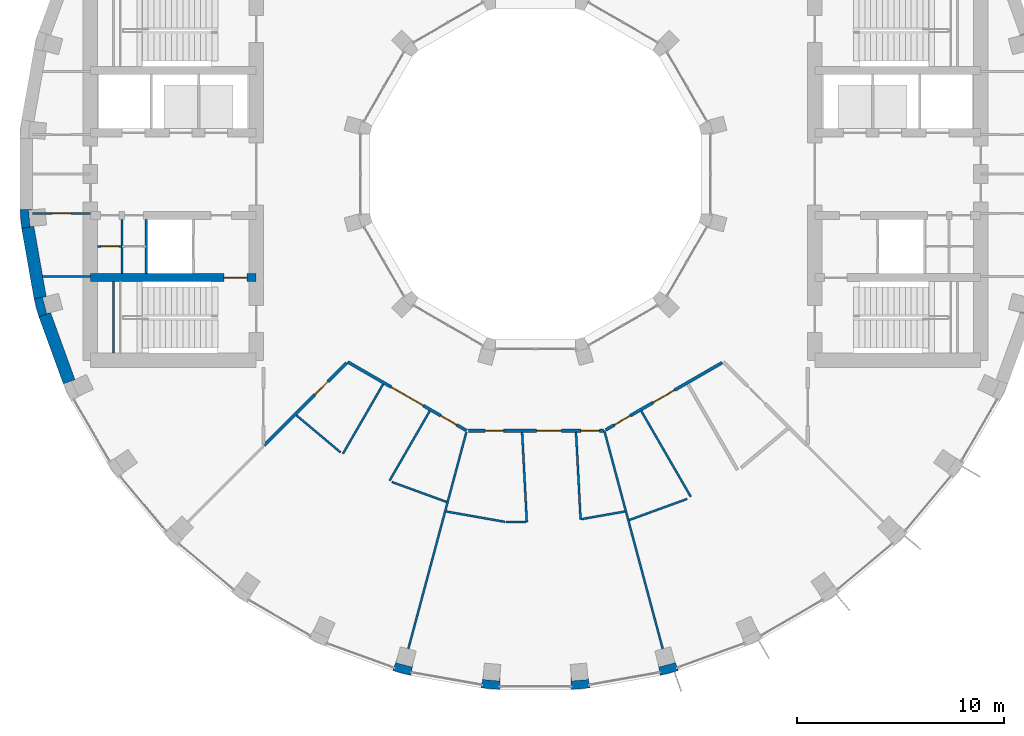
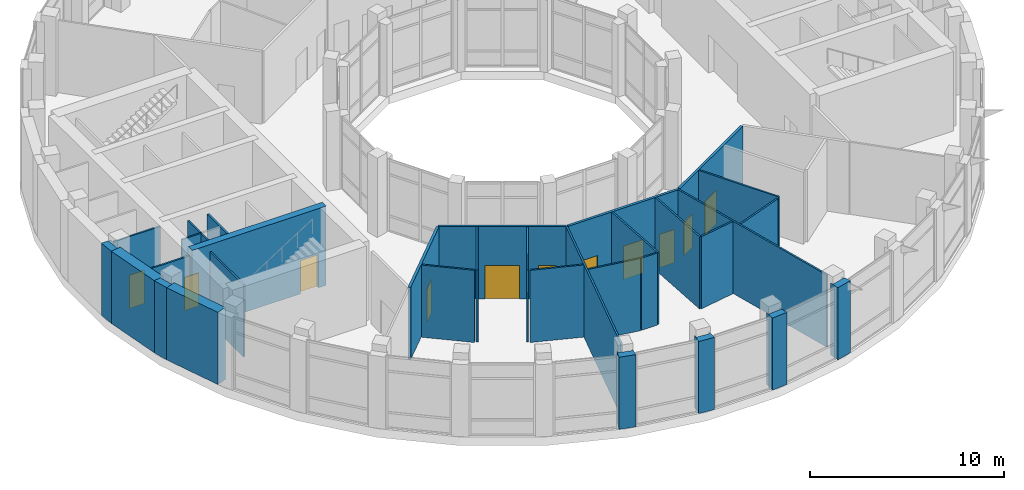
# One storey, part 11 of 18: 32 walls, 11 doors, 11 openings.
"""IFC4 building model written with IfcOpenShell, lengths in metres."""

from ifc_helpers import new_model, si_unit, direction, frame, frame_2d, origin, place, context, subcontext, project, spatial, polyline, rectangle, outline, extrude, material, layer, layer_set, type_object, element, fill, save


model = new_model("IFC4")

# Units and contexts
model_context = context("Model", 3, precision=1e-05, world=origin(), true_north=direction((0.0, 1.0)))
body_context = subcontext(model_context, "Body", "Model", "MODEL_VIEW")
ifc_project = project(units=[si_unit("LENGTHUNIT", "METRE"), si_unit("AREAUNIT", "SQUARE_METRE"), si_unit("VOLUMEUNIT", "CUBIC_METRE"), si_unit("PLANEANGLEUNIT", "RADIAN"), si_unit("MASSUNIT", "GRAM", prefix="KILO")], contexts=[model_context])

# Site, building, storey
site_placement = place(None, origin())
site = spatial("IfcSite", under=ifc_project, at=site_placement, CompositionType="ELEMENT")
building_placement = place(site_placement, origin())
building = spatial("IfcBuilding", under=site, at=building_placement, Name="Saqina Gate Tower", CompositionType="ELEMENT")
storey_placement = place(building_placement, frame((0.0, 0.0, 155.800048828125)))
storey = spatial("IfcBuildingStorey", under=building, at=storey_placement, Name="L44", CompositionType="ELEMENT", Elevation=155.800048828125)

# Walls
ifc_material_1 = material(Name="Brick masonry (buff)", Category="masonry")
wall_type_1 = type_object("IfcWallType", Name="BRICK PIER COPING BUFF", PredefinedType="SOLIDWALL", material=ifc_material_1)
wall_1_placement = place(storey_placement, origin())
element("IfcWall", 1, at=wall_1_placement, inside=storey, type_object=wall_type_1, Name="Pier cap L44 column 19", PredefinedType="SOLIDWALL", context=body_context, shape_type="SweptSolid", body=[
    extrude(outline(polyline([(-24.90478515625, -1.724853515625), (-24.825927734375, -2.6259765625), (-24.235107421875, -2.521728515625), (-24.421630859375, -2.5380859375), (-24.491455078125, -1.7412109375), (-24.304931640625, -1.724853515625), (-24.90478515625, -1.724853515625)])), origin(), (0.0, 0.0, 1.0), 4.550048828125),
])
wall_2_placement = place(storey_placement, origin())
element("IfcWall", 2, at=wall_2_placement, inside=storey, type_object=wall_type_1, Name="Pier cap L44 column 20", PredefinedType="SOLIDWALL", context=body_context, shape_type="SweptSolid", body=[
    extrude(outline(polyline([(-24.22705078125, -6.0234375), (-23.992919921875, -6.897216796875), (-23.428955078125, -6.69189453125), (-23.610107421875, -6.740478515625), (-23.81689453125, -5.967529296875), (-23.635986328125, -5.919189453125), (-24.22705078125, -6.0234375)])), origin(), (0.0, 0.0, 1.0), 4.550048828125),
])
wall_3_placement = place(storey_placement, origin())
element("IfcWall", 3, at=wall_3_placement, inside=storey, type_object=wall_type_1, Name="Pier cap L44 column 26", PredefinedType="SOLIDWALL", context=body_context, shape_type="SweptSolid", body=[
    extrude(outline(polyline([(-6.0234375, -24.22705078125), (-5.919189453125, -23.635986328125), (-5.967529296875, -23.81689453125), (-6.740478515625, -23.610107421875), (-6.69189453125, -23.428955078125), (-6.897216796875, -23.992919921875), (-6.0234375, -24.22705078125)])), origin(), (0.0, 0.0, 1.0), 4.550048828125),
])
wall_4_placement = place(storey_placement, origin())
element("IfcWall", 4, at=wall_4_placement, inside=storey, type_object=wall_type_1, Name="Pier cap L44 column 27", PredefinedType="SOLIDWALL", context=body_context, shape_type="SweptSolid", body=[
    extrude(outline(polyline([(-2.6259765625, -24.825927734375), (-1.724853515625, -24.90478515625), (-1.724853515625, -24.304931640625), (-1.7412109375, -24.491455078125), (-2.5380859375, -24.421630859375), (-2.521728515625, -24.235107421875), (-2.6259765625, -24.825927734375)])), origin(), (0.0, 0.0, 1.0), 4.550048828125),
])
wall_5_placement = place(storey_placement, origin())
element("IfcWall", 5, at=wall_5_placement, inside=storey, type_object=wall_type_1, Name="Pier cap L44 column 28", PredefinedType="SOLIDWALL", context=body_context, shape_type="SweptSolid", body=[
    extrude(outline(polyline([(1.724853515625, -24.90478515625), (2.6259765625, -24.825927734375), (2.521728515625, -24.235107421875), (2.5380859375, -24.421630859375), (1.7412109375, -24.491455078125), (1.724853515625, -24.304931640625), (1.724853515625, -24.90478515625)])), origin(), (0.0, 0.0, 1.0), 4.550048828125),
])
wall_6_placement = place(storey_placement, origin())
element("IfcWall", 6, at=wall_6_placement, inside=storey, type_object=wall_type_1, Name="Pier cap L44 column 29", PredefinedType="SOLIDWALL", context=body_context, shape_type="SweptSolid", body=[
    extrude(outline(polyline([(6.0234375, -24.22705078125), (6.897216796875, -23.992919921875), (6.69189453125, -23.428955078125), (6.740478515625, -23.610107421875), (5.967529296875, -23.81689453125), (5.919189453125, -23.635986328125), (6.0234375, -24.22705078125)])), origin(), (0.0, 0.0, 1.0), 4.550048828125),
])
ifc_material_2 = material(Name="Gypsum board on steel studs", Category="steel")
ifc_layer_1 = layer(ifc_material_2, 0.10009765625)
ifc_layer_set_1 = layer_set([ifc_layer_1], Name="CORE PARTITION")
wall_type_2 = type_object("IfcWallType", Name="CORE PARTITION", PredefinedType="PARTITIONING", material=ifc_layer_set_1)
wall_7_placement = place(storey_placement, frame((-21.5, -4.949951171875, 0.0), z_axis=(0.0, 0.0, 1.0), x_axis=(-1.0, 0.0, 0.0)))
element("IfcWall", 7, at=wall_7_placement, inside=storey, type_object=wall_type_2, Name="L44-CP-W03", PredefinedType="PARTITIONING", context=body_context, shape_type="SweptSolid", body=[
    extrude(rectangle(XDim=2.306884765625, YDim=0.10009765625, at=frame_2d((1.1533203125, 0.0))), origin(), (0.0, 0.0, 1.0), 4.550048828125),
])

# Wall, opening, door
wall_8_placement = place(storey_placement, frame((-21.5, -1.89990234375, 0.0), z_axis=(0.0, 0.0, 1.0), x_axis=(-1.0, 0.0, 0.0)))
wall_8 = element("IfcWall", 8, at=wall_8_placement, inside=storey, type_object=wall_type_2, Name="L44-CP-W04", PredefinedType="PARTITIONING", context=body_context, shape_type="SweptSolid", body=[
    extrude(rectangle(XDim=2.804931640625, YDim=0.10009765625, at=frame_2d((1.40234375, 0.0))), origin(), (0.0, 0.0, 1.0), 4.550048828125),
])
opening_1_placement = place(wall_8_placement, frame((0.952392578125, 0.0, 0.0)))
opening_1 = element("IfcOpeningElement", 9, at=opening_1_placement, cuts=wall_8, Name="Opening L44-D108", PredefinedType="OPENING", context=body_context, shape_type="SweptSolid", body=[
    extrude(rectangle(XDim=0.89990234375, YDim=2.10009765625, at=frame_2d((0.449951171875, 1.050048828125))), frame((0.0, 0.06201171875, 0.0), z_axis=(0.0, -1.0, 0.0), x_axis=(1.0, 0.0, 0.0)), (0.0, 0.0, 1.0), 0.1240234375),
])
ifc_material_3 = material(Name="Steel-framed fire door leaf, EI 60", Category="steel")
door_type_1 = type_object("IfcDoorType", Name="SERVICE ROOM DOOR 900", OperationType="SINGLE_SWING_LEFT", PredefinedType="DOOR", material=ifc_material_3)
door_1_placement = place(opening_1_placement, origin())
door_1 = element("IfcDoor", 10, at=door_1_placement, inside=storey, type_object=door_type_1, Name="L44-CD-W19", OperationType="SINGLE_SWING_LEFT", OverallHeight=2.10009765625, OverallWidth=0.89990234375, PredefinedType="DOOR", context=body_context, shape_type="SweptSolid", body=[
    extrude(rectangle(XDim=0.89990234375, YDim=2.10009765625, at=frame_2d((0.449951171875, 1.050048828125))), frame((0.0, 0.02490234375, 0.0), z_axis=(0.0, -1.0, 0.0), x_axis=(1.0, 0.0, 0.0)), (0.0, 0.0, 1.0), 0.050048828125),
])
fill(opening_1, door_1)

# Wall
wall_9_placement = place(storey_placement, frame((-19.97998046875, -4.800048828125, 0.0), z_axis=(0.0, 0.0, 1.0), x_axis=(0.0, 1.0, 0.0)))
element("IfcWall", 11, at=wall_9_placement, inside=storey, type_object=wall_type_2, Name="L44-CP-W10", PredefinedType="PARTITIONING", context=body_context, shape_type="SweptSolid", body=[
    extrude(rectangle(XDim=2.60009765625, YDim=0.10009765625, at=frame_2d((1.300048828125, 0.0))), origin(), (0.0, 0.0, 1.0), 4.550048828125),
])

# Wall, opening, door
wall_10_placement = place(storey_placement, frame((-19.97998046875, -3.5, 0.0), z_axis=(0.0, 0.0, 1.0), x_axis=(-1.0, 0.0, 0.0)))
wall_10 = element("IfcWall", 12, at=wall_10_placement, inside=storey, type_object=wall_type_2, Name="L44-CP-W12", PredefinedType="PARTITIONING", context=body_context, shape_type="SweptSolid", body=[
    extrude(rectangle(XDim=1.169921875, YDim=0.10009765625, at=frame_2d((0.5849609375, 0.0))), origin(), (0.0, 0.0, 1.0), 4.550048828125),
])
opening_2_placement = place(wall_10_placement, frame((0.14990234375, 0.0, 0.0)))
opening_2 = element("IfcOpeningElement", 13, at=opening_2_placement, cuts=wall_10, Name="Opening L44-D111", PredefinedType="OPENING", context=body_context, shape_type="SweptSolid", body=[
    extrude(rectangle(XDim=0.85009765625, YDim=2.10009765625, at=frame_2d((0.425048828125, 1.050048828125))), frame((0.0, 0.06201171875, 0.0), z_axis=(0.0, -1.0, 0.0), x_axis=(1.0, 0.0, 0.0)), (0.0, 0.0, 1.0), 0.1240234375),
])
ifc_material_4 = material(Name="Steel-framed fire door leaf, EI 60", Category="steel")
door_type_2 = type_object("IfcDoorType", Name="SERVICE ROOM DOOR 850", OperationType="SINGLE_SWING_LEFT", PredefinedType="DOOR", material=ifc_material_4)
door_2_placement = place(opening_2_placement, origin())
door_2 = element("IfcDoor", 14, at=door_2_placement, inside=storey, type_object=door_type_2, Name="L44-CD-W22", OperationType="SINGLE_SWING_RIGHT", OverallHeight=2.10009765625, OverallWidth=0.85009765625, PredefinedType="DOOR", context=body_context, shape_type="SweptSolid", body=[
    extrude(rectangle(XDim=0.85009765625, YDim=2.10009765625, at=frame_2d((0.425048828125, 1.050048828125))), frame((0.0, 0.02490234375, 0.0), z_axis=(0.0, -1.0, 0.0), x_axis=(1.0, 0.0, 0.0)), (0.0, 0.0, 1.0), 0.050048828125),
])
fill(opening_2, door_2)

# Walls
ifc_material_5 = material(Name="Glazed ceramic tile", Category="ceramic")
ifc_layer_2 = layer(ifc_material_5, 0.60009765625)
ifc_layer_set_2 = layer_set([ifc_layer_2], Name="FW-TILE")
wall_type_3 = type_object("IfcWallType", Name="FW-TILE", PredefinedType="SOLIDWALL", material=ifc_layer_set_2)
wall_11_placement = place(storey_placement, frame((-24.530517578125, -2.573974609375, 0.0), z_axis=(0.0, 0.0, 1.0), x_axis=(0.173607684551, -0.984814892183, 0.0)))
element("IfcWall", 15, at=wall_11_placement, inside=storey, type_object=wall_type_3, Name="Facade wall L44 facet 19", PredefinedType="SOLIDWALL", context=body_context, shape_type="SweptSolid", body=[
    extrude(rectangle(XDim=3.44970703125, YDim=0.60009765625, at=frame_2d((1.724853515625, 0.0))), origin(), (0.0, 0.0, 1.0), 4.550048828125),
])
ifc_material_6 = material(Name="Glazed ceramic tile (white)", Category="ceramic")
ifc_layer_3 = layer(ifc_material_6, 0.60009765625)
ifc_layer_set_3 = layer_set([ifc_layer_3], Name="FW-TILE-WH")
wall_type_4 = type_object("IfcWallType", Name="FW-TILE-WH", PredefinedType="SOLIDWALL", material=ifc_layer_set_3)
wall_12_placement = place(storey_placement, frame((-23.7109375, -6.79443359375, 0.0), z_axis=(0.0, 0.0, 1.0), x_axis=(0.342032843455, -0.93968799822, 0.0)))
element("IfcWall", 16, at=wall_12_placement, inside=storey, type_object=wall_type_4, Name="Facade wall L44 facet 20", PredefinedType="SOLIDWALL", context=body_context, shape_type="SweptSolid", body=[
    extrude(rectangle(XDim=3.44970703125, YDim=0.60009765625, at=frame_2d((1.724853515625, 0.0))), origin(), (0.0, 0.0, 1.0), 4.550048828125),
])
ifc_material_7 = material(Name="Autoclaved aerated concrete block", Category="concrete")
ifc_layer_4 = layer(ifc_material_7, 0.1201171875)
ifc_layer_set_4 = layer_set([ifc_layer_4], Name="SHAFT PARTITION")
wall_type_5 = type_object("IfcWallType", Name="SHAFT PARTITION", PredefinedType="PARTITIONING", material=ifc_layer_set_4)
wall_13_placement = place(storey_placement, frame((-18.81005859375, -4.800048828125, 0.0), z_axis=(0.0, 0.0, 1.0), x_axis=(0.0, 1.0, 0.0)))
element("IfcWall", 17, at=wall_13_placement, inside=storey, type_object=wall_type_5, Name="L44-CP-W09", PredefinedType="PARTITIONING", context=body_context, shape_type="SweptSolid", body=[
    extrude(rectangle(XDim=2.60009765625, YDim=0.1201171875, at=frame_2d((1.300048828125, 0.0))), origin(), (0.0, 0.0, 1.0), 4.550048828125),
])
ifc_material_8 = material(Name="Gypsum board on steel studs, 100 mm", Category="steel")
ifc_layer_5 = layer(ifc_material_8, 0.10009765625)
ifc_layer_set_5 = layer_set([ifc_layer_5], Name="SPECIAL PARTITION 100")
wall_type_6 = type_object("IfcWallType", Name="SPECIAL PARTITION 100", PredefinedType="PARTITIONING", material=ifc_layer_set_5)
wall_14_placement = place(storey_placement, frame((-0.648193359375, -12.474853515625, 0.0), z_axis=(0.0, 0.0, 1.0), x_axis=(0.052419936627, -0.998625129988, 0.0)))
element("IfcWall", 18, at=wall_14_placement, inside=storey, type_object=wall_type_6, Name="PARTITION 003", PredefinedType="PARTITIONING", context=body_context, shape_type="SweptSolid", body=[
    extrude(rectangle(XDim=4.3359375, YDim=0.10009765625, at=frame_2d((2.16796875, 0.0))), origin(), (0.0, 0.0, 1.0), 4.550048828125),
])
wall_15_placement = place(storey_placement, frame((1.955810546875, -12.474853515625, 0.0), z_axis=(0.0, 0.0, 1.0), x_axis=(0.052297124669, -0.998631569074, 0.0)))
element("IfcWall", 19, at=wall_15_placement, inside=storey, type_object=wall_type_6, Name="PARTITION 004", PredefinedType="PARTITIONING", context=body_context, shape_type="SweptSolid", body=[
    extrude(rectangle(XDim=4.2109375, YDim=0.10009765625, at=frame_2d((2.10546875, 0.0))), origin(), (0.0, 0.0, 1.0), 4.550048828125),
])
wall_16_placement = place(storey_placement, frame((3.322998046875, -12.39990234375, 0.0), z_axis=(0.0, 0.0, 1.0), x_axis=(0.258724519119, -0.965951149493, 0.0)))
element("IfcWall", 20, at=wall_16_placement, inside=storey, type_object=wall_type_6, Name="PARTITION 006", PredefinedType="PARTITIONING", context=body_context, shape_type="SweptSolid", body=[
    extrude(rectangle(XDim=10.90283203125, YDim=0.10009765625, at=frame_2d((5.451416015625, 0.0))), origin(), (0.0, 0.0, 1.0), 4.550048828125),
])
wall_17_placement = place(storey_placement, frame((5.111572265625, -11.453857421875, 0.0), z_axis=(0.0, 0.0, 1.0), x_axis=(0.500099733259, -0.865967815103, 0.0)))
element("IfcWall", 21, at=wall_17_placement, inside=storey, type_object=wall_type_6, Name="PARTITION 009", PredefinedType="PARTITIONING", context=body_context, shape_type="SweptSolid", body=[
    extrude(rectangle(XDim=4.77978515625, YDim=0.10009765625, at=frame_2d((2.389892578125, 0.0))), origin(), (0.0, 0.0, 1.0), 4.550048828125),
])
wall_18_placement = place(storey_placement, frame((-11.551513671875, -11.6572265625, 0.0), z_axis=(0.0, 0.0, 1.0), x_axis=(0.766098290504, -0.642723431413, 0.0)))
element("IfcWall", 22, at=wall_18_placement, inside=storey, type_object=wall_type_6, Name="PARTITION 015", PredefinedType="PARTITIONING", context=body_context, shape_type="SweptSolid", body=[
    extrude(rectangle(XDim=2.7861328125, YDim=0.10009765625, at=frame_2d((1.39306640625, 0.0))), origin(), (0.0, 0.0, 1.0), 4.550048828125),
])
wall_19_placement = place(storey_placement, frame((-6.93798828125, -14.87890625, 0.0), z_axis=(0.0, 0.0, 1.0), x_axis=(0.939661525863, -0.342105563842, 0.0)))
element("IfcWall", 23, at=wall_19_placement, inside=storey, type_object=wall_type_6, Name="PARTITION 019", PredefinedType="PARTITIONING", context=body_context, shape_type="SweptSolid", body=[
    extrude(rectangle(XDim=2.811767578125, YDim=0.10009765625, at=frame_2d((1.40576171875, 0.0))), origin(), (0.0, 0.0, 1.0), 4.550048828125),
])
wall_20_placement = place(storey_placement, frame((-4.316650390625, -16.302734375, 0.0), z_axis=(0.0, 0.0, 1.0), x_axis=(0.984792910243, -0.173732334166, 0.0)))
element("IfcWall", 24, at=wall_20_placement, inside=storey, type_object=wall_type_6, Name="PARTITION 021", PredefinedType="PARTITIONING", context=body_context, shape_type="SweptSolid", body=[
    extrude(rectangle(XDim=2.890625, YDim=0.10009765625, at=frame_2d((1.4453125, 0.0))), origin(), (0.0, 0.0, 1.0), 4.550048828125),
])
wall_21_placement = place(storey_placement, frame((-1.419921875, -16.804931640625, 0.0), z_axis=(0.0, 0.0, 1.0), x_axis=(1.0, 0.0, 0.0)))
element("IfcWall", 25, at=wall_21_placement, inside=storey, type_object=wall_type_6, Name="PARTITION 023", PredefinedType="PARTITIONING", context=body_context, shape_type="SweptSolid", body=[
    extrude(rectangle(XDim=0.948974609375, YDim=0.10009765625, at=frame_2d((0.474609375, 0.0))), origin(), (0.0, 0.0, 1.0), 4.550048828125),
])
wall_22_placement = place(storey_placement, frame((2.22509765625, -16.67138671875, 0.0), z_axis=(0.0, 0.0, 1.0), x_axis=(0.984822876139, 0.173562388302, 0.0)))
element("IfcWall", 26, at=wall_22_placement, inside=storey, type_object=wall_type_6, Name="PARTITION 027", PredefinedType="PARTITIONING", context=body_context, shape_type="SweptSolid", body=[
    extrude(rectangle(XDim=2.1240234375, YDim=0.10009765625, at=frame_2d((1.06201171875, 0.0))), origin(), (0.0, 0.0, 1.0), 4.550048828125),
])
wall_23_placement = place(storey_placement, frame((4.530029296875, -16.7138671875, 0.0), z_axis=(0.0, 0.0, 1.0), x_axis=(0.939651702054, 0.342132545699, 0.0)))
element("IfcWall", 27, at=wall_23_placement, inside=storey, type_object=wall_type_6, Name="PARTITION 029", PredefinedType="PARTITIONING", context=body_context, shape_type="SweptSolid", body=[
    extrude(rectangle(XDim=2.96923828125, YDim=0.10009765625, at=frame_2d((1.484619140625, 0.0))), origin(), (0.0, 0.0, 1.0), 4.550048828125),
])
wall_24_placement = place(storey_placement, frame((-7.052001953125, -14.81396484375, 0.0), z_axis=(0.0, 0.0, 1.0), x_axis=(0.499922173165, 0.866070332466, 0.0)))
element("IfcWall", 28, at=wall_24_placement, inside=storey, type_object=wall_type_6, Name="PARTITION 040", PredefinedType="PARTITIONING", context=body_context, shape_type="SweptSolid", body=[
    extrude(rectangle(XDim=3.8798828125, YDim=0.10009765625, at=frame_2d((1.93994140625, 0.0))), origin(), (0.0, 0.0, 1.0), 4.550048828125),
])
wall_25_placement = place(storey_placement, frame((-9.304443359375, -13.51318359375, 0.0), z_axis=(0.0, 0.0, 1.0), x_axis=(0.500185351818, 0.865918364412, 0.0)))
element("IfcWall", 29, at=wall_25_placement, inside=storey, type_object=wall_type_6, Name="PARTITION 042", PredefinedType="PARTITIONING", context=body_context, shape_type="SweptSolid", body=[
    extrude(rectangle(XDim=3.88037109375, YDim=0.10009765625, at=frame_2d((1.940185546875, 0.0))), origin(), (0.0, 0.0, 1.0), 4.550048828125),
])
wall_26_placement = place(storey_placement, frame((-6.1435546875, -22.931396484375, 0.0), z_axis=(0.0, 0.0, 1.0), x_axis=(0.258715046682, 0.965953686582, 0.0)))
element("IfcWall", 30, at=wall_26_placement, inside=storey, type_object=wall_type_6, Name="PARTITION 044", PredefinedType="PARTITIONING", context=body_context, shape_type="SweptSolid", body=[
    extrude(rectangle(XDim=10.82763671875, YDim=0.10009765625, at=frame_2d((5.413818359375, 0.0))), origin(), (0.0, 0.0, 1.0), 4.550048828125),
])

# Wall, openings, doors
ifc_material_9 = material(Name="Gypsum board on steel studs, 150 mm, fire rated", Category="steel")
ifc_layer_6 = layer(ifc_material_9, 0.14990234375)
ifc_layer_set_6 = layer_set([ifc_layer_6], Name="SPECIAL PARTITION EI 30 150")
wall_type_7 = type_object("IfcWallType", Name="SPECIAL PARTITION EI 30 150", PredefinedType="PARTITIONING", material=ifc_layer_set_6)
wall_27_placement = place(storey_placement, frame((-9.076904296875, -9.076904296875, 0.0), z_axis=(0.0, 0.0, 1.0), x_axis=(0.865961614908, -0.500110469302, 0.0)))
wall_27 = element("IfcWall", 31, at=wall_27_placement, inside=storey, type_object=wall_type_7, Name="PARTITION 017", PredefinedType="PARTITIONING", context=body_context, shape_type="SweptSolid", body=[
    extrude(rectangle(XDim=6.64453125, YDim=0.14990234375, at=frame_2d((3.322265625, 0.0))), origin(), (0.0, 0.0, 1.0), 4.550048828125),
])
opening_3_placement = place(wall_27_placement, frame((2.42236328125, 0.0, 0.0)))
opening_3 = element("IfcOpeningElement", 32, at=opening_3_placement, cuts=wall_27, Name="Opening L44-D15", PredefinedType="OPENING", context=body_context, shape_type="SweptSolid", body=[
    extrude(rectangle(XDim=1.800048828125, YDim=2.10009765625, at=frame_2d((0.89990234375, 1.050048828125))), frame((0.0, 0.0869140625, 0.0), z_axis=(0.0, -1.0, 0.0), x_axis=(1.0, 0.0, 0.0)), (0.0, 0.0, 1.0), 0.173828125),
])
opening_4_placement = place(wall_27_placement, frame((5.18359375, 0.0, 0.0)))
opening_4 = element("IfcOpeningElement", 33, at=opening_4_placement, cuts=wall_27, Name="Opening L44-D16", PredefinedType="OPENING", context=body_context, shape_type="SweptSolid", body=[
    extrude(rectangle(XDim=0.89990234375, YDim=2.10009765625, at=frame_2d((0.449951171875, 1.050048828125))), frame((0.0, 0.0869140625, 0.0), z_axis=(0.0, -1.0, 0.0), x_axis=(1.0, 0.0, 0.0)), (0.0, 0.0, 1.0), 0.173828125),
])
ifc_material_10 = material(Name="Steel-framed fire door leaf, EI 30", Category="steel")
door_type_3 = type_object("IfcDoorType", Name="SPECIAL DOOR 900 FIRE EI 30", OperationType="SINGLE_SWING_LEFT", PredefinedType="DOOR", material=ifc_material_10)
door_3_placement = place(opening_4_placement, frame((0.89990234375, 0.0, 0.0), z_axis=(0.0, 0.0, 1.0), x_axis=(-1.0, 0.0, 0.0)))
door_3 = element("IfcDoor", 34, at=door_3_placement, inside=storey, type_object=door_type_3, Name="DOOR L44-D16", OperationType="SINGLE_SWING_RIGHT", OverallHeight=2.10009765625, OverallWidth=0.89990234375, PredefinedType="DOOR", context=body_context, shape_type="SweptSolid", body=[
    extrude(rectangle(XDim=0.89990234375, YDim=2.10009765625, at=frame_2d((0.449951171875, 1.050048828125))), frame((0.0, 0.02490234375, 0.0), z_axis=(0.0, -1.0, 0.0), x_axis=(1.0, 0.0, 0.0)), (0.0, 0.0, 1.0), 0.050048828125),
])
fill(opening_4, door_3)
ifc_material_11 = material(Name="Steel-framed fire door leaf, EI 30", Category="steel")
door_type_4 = type_object("IfcDoorType", Name="SPECIAL DOUBLE DOOR 1800 FIRE EI 30", OperationType="DOUBLE_DOOR_SINGLE_SWING", PredefinedType="DOOR", material=ifc_material_11)
door_4_placement = place(opening_3_placement, origin())
door_4 = element("IfcDoor", 35, at=door_4_placement, inside=storey, type_object=door_type_4, Name="DOOR L44-D15", OperationType="DOUBLE_DOOR_SINGLE_SWING", OverallHeight=2.10009765625, OverallWidth=1.800048828125, PredefinedType="DOOR", context=body_context, shape_type="SweptSolid", body=[
    extrude(rectangle(XDim=1.800048828125, YDim=2.10009765625, at=frame_2d((0.89990234375, 1.050048828125))), frame((0.0, 0.02490234375, 0.0), z_axis=(0.0, -1.0, 0.0), x_axis=(1.0, 0.0, 0.0)), (0.0, 0.0, 1.0), 0.050048828125),
])
fill(opening_3, door_4)

wall_28_placement = place(storey_placement, frame((-3.248046875, -12.39990234375, 0.0), z_axis=(0.0, 0.0, 1.0), x_axis=(1.0, 0.0, 0.0)))
wall_28 = element("IfcWall", 36, at=wall_28_placement, inside=storey, type_object=wall_type_7, Name="PARTITION 024", PredefinedType="PARTITIONING", context=body_context, shape_type="SweptSolid", body=[
    extrude(rectangle(XDim=6.52099609375, YDim=0.14990234375, at=frame_2d((3.260498046875, 0.0))), origin(), (0.0, 0.0, 1.0), 4.550048828125),
])
opening_5_placement = place(wall_28_placement, frame((0.810546875, 0.0, 0.0)))
opening_5 = element("IfcOpeningElement", 37, at=opening_5_placement, cuts=wall_28, Name="Opening L44-D17", PredefinedType="OPENING", context=body_context, shape_type="SweptSolid", body=[
    extrude(rectangle(XDim=0.89990234375, YDim=2.10009765625, at=frame_2d((0.449951171875, 1.050048828125))), frame((0.0, 0.0869140625, 0.0), z_axis=(0.0, -1.0, 0.0), x_axis=(1.0, 0.0, 0.0)), (0.0, 0.0, 1.0), 0.173828125),
])
opening_6_placement = place(wall_28_placement, frame((3.298095703125, 0.0, 0.0)))
opening_6 = element("IfcOpeningElement", 38, at=opening_6_placement, cuts=wall_28, Name="Opening L44-D18", PredefinedType="OPENING", context=body_context, shape_type="SweptSolid", body=[
    extrude(rectangle(XDim=1.199951171875, YDim=2.10009765625, at=frame_2d((0.60009765625, 1.050048828125))), frame((0.0, 0.0869140625, 0.0), z_axis=(0.0, -1.0, 0.0), x_axis=(1.0, 0.0, 0.0)), (0.0, 0.0, 1.0), 0.173828125),
])
opening_7_placement = place(wall_28_placement, frame((5.435546875, 0.0, 0.0)))
opening_7 = element("IfcOpeningElement", 39, at=opening_7_placement, cuts=wall_28, Name="Opening L44-D19", PredefinedType="OPENING", context=body_context, shape_type="SweptSolid", body=[
    extrude(rectangle(XDim=0.89990234375, YDim=2.10009765625, at=frame_2d((0.449951171875, 1.050048828125))), frame((0.0, 0.0869140625, 0.0), z_axis=(0.0, -1.0, 0.0), x_axis=(1.0, 0.0, 0.0)), (0.0, 0.0, 1.0), 0.173828125),
])
ifc_material_12 = material(Name="Steel-framed fire door leaf, EI 30", Category="steel")
door_type_5 = type_object("IfcDoorType", Name="SPECIAL DOOR 1200 FIRE EI 30", OperationType="SINGLE_SWING_LEFT", PredefinedType="DOOR", material=ifc_material_12)
door_5_placement = place(opening_6_placement, origin())
door_5 = element("IfcDoor", 40, at=door_5_placement, inside=storey, type_object=door_type_5, Name="DOOR L44-D18", OperationType="SINGLE_SWING_RIGHT", OverallHeight=2.10009765625, OverallWidth=1.199951171875, PredefinedType="DOOR", context=body_context, shape_type="SweptSolid", body=[
    extrude(rectangle(XDim=1.199951171875, YDim=2.10009765625, at=frame_2d((0.60009765625, 1.050048828125))), frame((0.0, 0.02490234375, 0.0), z_axis=(0.0, -1.0, 0.0), x_axis=(1.0, 0.0, 0.0)), (0.0, 0.0, 1.0), 0.050048828125),
])
fill(opening_6, door_5)
door_6_placement = place(opening_5_placement, frame((0.89990234375, 0.0, 0.0), z_axis=(0.0, 0.0, 1.0), x_axis=(-1.0, 0.0, 0.0)))
door_6 = element("IfcDoor", 41, at=door_6_placement, inside=storey, type_object=door_type_3, Name="DOOR L44-D17", OperationType="SINGLE_SWING_RIGHT", OverallHeight=2.10009765625, OverallWidth=0.89990234375, PredefinedType="DOOR", context=body_context, shape_type="SweptSolid", body=[
    extrude(rectangle(XDim=0.89990234375, YDim=2.10009765625, at=frame_2d((0.449951171875, 1.050048828125))), frame((0.0, 0.02490234375, 0.0), z_axis=(0.0, -1.0, 0.0), x_axis=(1.0, 0.0, 0.0)), (0.0, 0.0, 1.0), 0.050048828125),
])
fill(opening_5, door_6)
door_7_placement = place(opening_7_placement, frame((0.89990234375, 0.0, 0.0), z_axis=(0.0, 0.0, 1.0), x_axis=(-1.0, 0.0, 0.0)))
door_7 = element("IfcDoor", 42, at=door_7_placement, inside=storey, type_object=door_type_3, Name="DOOR L44-D19", OperationType="SINGLE_SWING_LEFT", OverallHeight=2.10009765625, OverallWidth=0.89990234375, PredefinedType="DOOR", context=body_context, shape_type="SweptSolid", body=[
    extrude(rectangle(XDim=0.89990234375, YDim=2.10009765625, at=frame_2d((0.449951171875, 1.050048828125))), frame((0.0, 0.02490234375, 0.0), z_axis=(0.0, -1.0, 0.0), x_axis=(1.0, 0.0, 0.0)), (0.0, 0.0, 1.0), 0.050048828125),
])
fill(opening_7, door_7)

# Wall, opening, door
wall_29_placement = place(storey_placement, frame((-13.114501953125, -13.114501953125, 0.0), z_axis=(0.0, 0.0, 1.0), x_axis=(0.707106781187, 0.707106781187, 0.0)))
wall_29 = element("IfcWall", 43, at=wall_29_placement, inside=storey, type_object=wall_type_7, Name="PARTITION 038", PredefinedType="PARTITIONING", context=body_context, shape_type="SweptSolid", body=[
    extrude(rectangle(XDim=5.635009765625, YDim=0.14990234375, at=frame_2d((2.8173828125, 0.0))), origin(), (0.0, 0.0, 1.0), 4.550048828125),
])
opening_8_placement = place(wall_29_placement, frame((3.4697265625, 0.0, 0.0)))
opening_8 = element("IfcOpeningElement", 44, at=opening_8_placement, cuts=wall_29, Name="Opening L44-D14", PredefinedType="OPENING", context=body_context, shape_type="SweptSolid", body=[
    extrude(rectangle(XDim=0.89990234375, YDim=2.10009765625, at=frame_2d((0.449951171875, 1.050048828125))), frame((0.0, 0.0869140625, 0.0), z_axis=(0.0, -1.0, 0.0), x_axis=(1.0, 0.0, 0.0)), (0.0, 0.0, 1.0), 0.173828125),
])
door_8_placement = place(opening_8_placement, frame((0.89990234375, 0.0, 0.0), z_axis=(0.0, 0.0, 1.0), x_axis=(-1.0, 0.0, 0.0)))
door_8 = element("IfcDoor", 45, at=door_8_placement, inside=storey, type_object=door_type_3, Name="DOOR L44-D14", OperationType="SINGLE_SWING_LEFT", OverallHeight=2.10009765625, OverallWidth=0.89990234375, PredefinedType="DOOR", context=body_context, shape_type="SweptSolid", body=[
    extrude(rectangle(XDim=0.89990234375, YDim=2.10009765625, at=frame_2d((0.449951171875, 1.050048828125))), frame((0.0, 0.02490234375, 0.0), z_axis=(0.0, -1.0, 0.0), x_axis=(1.0, 0.0, 0.0)), (0.0, 0.0, 1.0), 0.050048828125),
])
fill(opening_8, door_8)

# Wall, openings, doors
ifc_material_13 = material(Name="Masonry block and plaster, 150 mm, fire rated", Category="masonry")
ifc_layer_7 = layer(ifc_material_13, 0.14990234375)
ifc_layer_set_7 = layer_set([ifc_layer_7], Name="SPECIAL PARTITION EI 60 150")
wall_type_8 = type_object("IfcWallType", Name="SPECIAL PARTITION EI 60 150", PredefinedType="PARTITIONING", material=ifc_layer_set_7)
wall_30_placement = place(storey_placement, frame((3.387939453125, -12.362548828125, 0.0), z_axis=(0.0, 0.0, 1.0), x_axis=(0.865967095912, 0.5001009786, 0.0)))
wall_30 = element("IfcWall", 46, at=wall_30_placement, inside=storey, type_object=wall_type_8, Name="PARTITION 031", PredefinedType="PARTITIONING", context=body_context, shape_type="SweptSolid", body=[
    extrude(rectangle(XDim=6.494873046875, YDim=0.14990234375, at=frame_2d((3.24755859375, 0.0))), origin(), (0.0, 0.0, 1.0), 4.550048828125),
])
opening_9_placement = place(wall_30_placement, frame((0.486083984375, 0.0, 0.0)))
opening_9 = element("IfcOpeningElement", 47, at=opening_9_placement, cuts=wall_30, Name="Opening L44-D20", PredefinedType="OPENING", context=body_context, shape_type="SweptSolid", body=[
    extrude(rectangle(XDim=0.89990234375, YDim=2.10009765625, at=frame_2d((0.449951171875, 1.050048828125))), frame((0.0, 0.0869140625, 0.0), z_axis=(0.0, -1.0, 0.0), x_axis=(1.0, 0.0, 0.0)), (0.0, 0.0, 1.0), 0.173828125),
])
opening_10_placement = place(wall_30_placement, frame((2.647216796875, 0.0, 0.0)))
opening_10 = element("IfcOpeningElement", 48, at=opening_10_placement, cuts=wall_30, Name="Opening L44-D21", PredefinedType="OPENING", context=body_context, shape_type="SweptSolid", body=[
    extrude(rectangle(XDim=1.199951171875, YDim=2.10009765625, at=frame_2d((0.60009765625, 1.050048828125))), frame((0.0, 0.0869140625, 0.0), z_axis=(0.0, -1.0, 0.0), x_axis=(1.0, 0.0, 0.0)), (0.0, 0.0, 1.0), 0.173828125),
])
ifc_material_14 = material(Name="Steel-framed fire door leaf, EI 60", Category="steel")
door_type_6 = type_object("IfcDoorType", Name="SPECIAL DOOR 1200 FIRE EI 60", OperationType="SINGLE_SWING_LEFT", PredefinedType="DOOR", material=ifc_material_14)
door_9_placement = place(opening_10_placement, origin())
door_9 = element("IfcDoor", 49, at=door_9_placement, inside=storey, type_object=door_type_6, Name="DOOR L44-D21", OperationType="SINGLE_SWING_LEFT", OverallHeight=2.10009765625, OverallWidth=1.199951171875, PredefinedType="DOOR", context=body_context, shape_type="SweptSolid", body=[
    extrude(rectangle(XDim=1.199951171875, YDim=2.10009765625, at=frame_2d((0.60009765625, 1.050048828125))), frame((0.0, 0.02490234375, 0.0), z_axis=(0.0, -1.0, 0.0), x_axis=(1.0, 0.0, 0.0)), (0.0, 0.0, 1.0), 0.050048828125),
])
fill(opening_10, door_9)
ifc_material_15 = material(Name="Steel-framed fire door leaf, EI 60", Category="steel")
door_type_7 = type_object("IfcDoorType", Name="SPECIAL DOOR 900 FIRE EI 60", OperationType="SINGLE_SWING_LEFT", PredefinedType="DOOR", material=ifc_material_15)
door_10_placement = place(opening_9_placement, frame((0.89990234375, 0.0, 0.0), z_axis=(0.0, 0.0, 1.0), x_axis=(-1.0, 0.0, 0.0)))
door_10 = element("IfcDoor", 50, at=door_10_placement, inside=storey, type_object=door_type_7, Name="DOOR L44-D20", OperationType="SINGLE_SWING_LEFT", OverallHeight=2.10009765625, OverallWidth=0.89990234375, PredefinedType="DOOR", context=body_context, shape_type="SweptSolid", body=[
    extrude(rectangle(XDim=0.89990234375, YDim=2.10009765625, at=frame_2d((0.449951171875, 1.050048828125))), frame((0.0, 0.02490234375, 0.0), z_axis=(0.0, -1.0, 0.0), x_axis=(1.0, 0.0, 0.0)), (0.0, 0.0, 1.0), 0.050048828125),
])
fill(opening_9, door_10)

# Wall
ifc_material_16 = material(Name="Autoclaved aerated concrete block", Category="concrete")
ifc_layer_8 = layer(ifc_material_16, 0.10009765625)
ifc_layer_set_8 = layer_set([ifc_layer_8], Name="STAIR ENCLOSURE WALL")
wall_type_9 = type_object("IfcWallType", Name="STAIR ENCLOSURE WALL", PredefinedType="PARTITIONING", material=ifc_layer_set_8)
wall_31_placement = place(storey_placement, frame((-20.389892578125, -8.64990234375, 0.0), z_axis=(0.0, 0.0, 1.0), x_axis=(0.0, 1.0, 0.0)))
element("IfcWall", 51, at=wall_31_placement, inside=storey, type_object=wall_type_9, Name="L44-CP-W14", PredefinedType="PARTITIONING", context=body_context, shape_type="SweptSolid", body=[
    extrude(rectangle(XDim=3.449951171875, YDim=0.10009765625, at=frame_2d((1.72509765625, 0.0))), origin(), (0.0, 0.0, 1.0), 4.550048828125),
])

# Wall, opening, door
ifc_material_17 = material(Name="Concrete C60/75", Category="concrete")
ifc_layer_9 = layer(ifc_material_17, 0.39990234375)
ifc_layer_set_9 = layer_set([ifc_layer_9], Name="Concrete C60/75")
wall_type_10 = type_object("IfcWallType", Name="STR-CORE WALL-C-I", PredefinedType="SHEAR", material=ifc_layer_set_9)
wall_32_placement = place(storey_placement, frame((-13.5, -5.0, 0.0), z_axis=(0.0, 0.0, 1.0), x_axis=(-1.0, 0.0, 0.0)))
wall_32 = element("IfcWall", 52, at=wall_32_placement, inside=storey, type_object=wall_type_10, Name="CORE WALL L44 W-X2", PredefinedType="SHEAR", context=body_context, shape_type="SweptSolid", body=[
    extrude(rectangle(XDim=8.0, YDim=0.39990234375, at=frame_2d((4.0, 0.0))), origin(), (0.0, 0.0, 1.0), 5.0),
])
opening_11_placement = place(wall_32_placement, frame((0.449951171875, 0.0, 0.0)))
opening_11 = element("IfcOpeningElement", 53, at=opening_11_placement, cuts=wall_32, Name="Opening L44-D112", PredefinedType="OPENING", context=body_context, shape_type="SweptSolid", body=[
    extrude(rectangle(XDim=1.10009765625, YDim=2.10009765625, at=frame_2d((0.550048828125, 1.050048828125))), frame((0.0, 0.2119140625, 0.0), z_axis=(0.0, -1.0, 0.0), x_axis=(1.0, 0.0, 0.0)), (0.0, 0.0, 1.0), 0.423828125),
])
ifc_material_18 = material(Name="Steel", Category="steel")
door_type_8 = type_object("IfcDoorType", Name="FIRE LOBBY DOOR EI 60 WIDE", OperationType="SINGLE_SWING_LEFT", PredefinedType="DOOR", material=ifc_material_18)
door_11_placement = place(opening_11_placement, origin())
door_11 = element("IfcDoor", 54, at=door_11_placement, inside=storey, type_object=door_type_8, Name="L44-CD-W23", OperationType="SINGLE_SWING_LEFT", OverallHeight=2.10009765625, OverallWidth=1.10009765625, PredefinedType="DOOR", context=body_context, shape_type="SweptSolid", body=[
    extrude(rectangle(XDim=1.10009765625, YDim=2.10009765625, at=frame_2d((0.550048828125, 1.050048828125))), frame((0.0, 0.02490234375, 0.0), z_axis=(0.0, -1.0, 0.0), x_axis=(1.0, 0.0, 0.0)), (0.0, 0.0, 1.0), 0.050048828125),
])
fill(opening_11, door_11)

save(model, "model.ifc")
